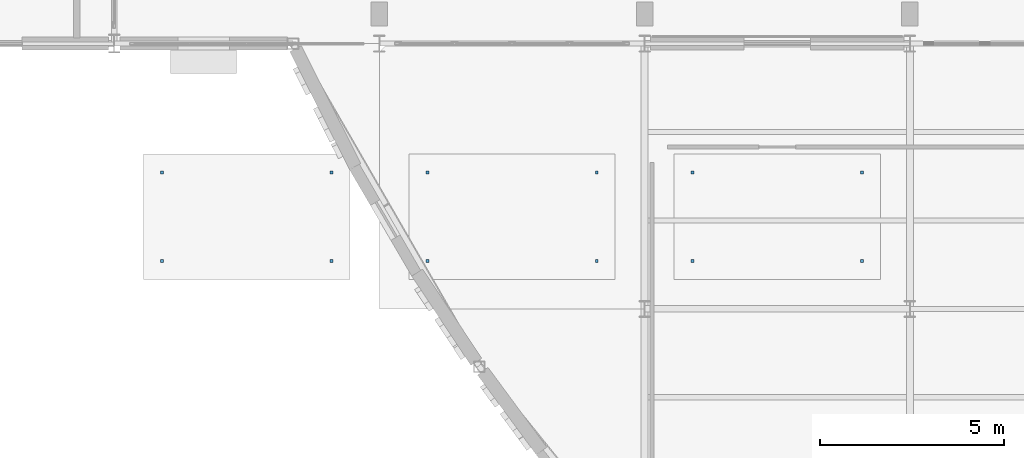
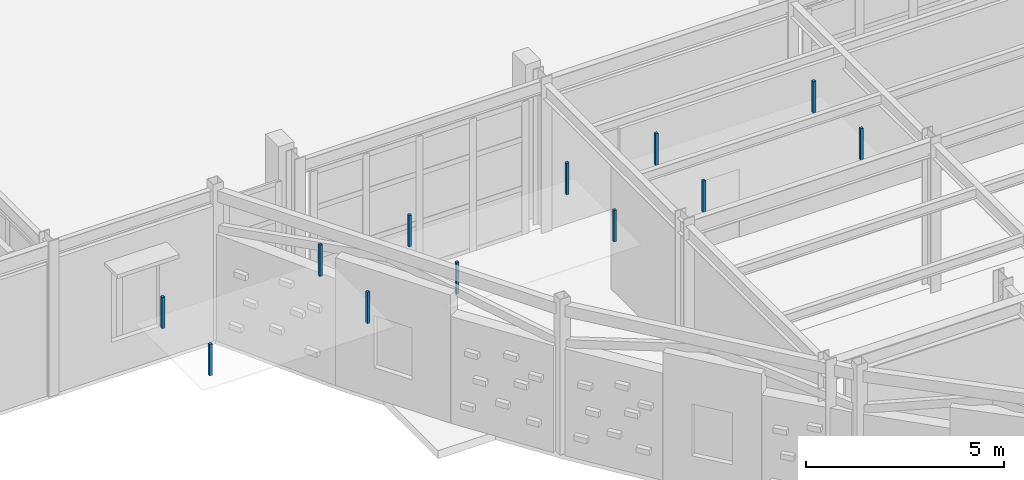
# One storey, part 68 of 83: 12 discrete accessories.
"""IFC4 building model written with IfcOpenShell, lengths in metres."""

from ifc_helpers import new_model, si_unit, direction, frame, origin, origin_2d, place, context, subcontext, project, spatial, rectangle, extrude, material, type_object, element, save


model = new_model("IFC4")

# Units and contexts
model_context = context("Model", 3, precision=1e-05, world=origin(), true_north=direction((0.0, 1.0)))
body_context = subcontext(model_context, "Body", "Model", "MODEL_VIEW")
ifc_project = project(units=[si_unit("LENGTHUNIT", "METRE"), si_unit("AREAUNIT", "SQUARE_METRE"), si_unit("VOLUMEUNIT", "CUBIC_METRE"), si_unit("PLANEANGLEUNIT", "RADIAN"), si_unit("MASSUNIT", "GRAM", prefix="KILO")], contexts=[model_context])

# Site, building, storey
site_placement = place(None, origin())
site = spatial("IfcSite", under=ifc_project, at=site_placement, CompositionType="ELEMENT")
building_placement = place(site_placement, origin())
building = spatial("IfcBuilding", under=site, at=building_placement, Name="Solvadek Multi-Sports Hall", CompositionType="ELEMENT")
storey_placement = place(building_placement, origin())
storey = spatial("IfcBuildingStorey", under=building, at=storey_placement, Name="L00", CompositionType="ELEMENT", Elevation=0.0)

# Discrete accessories
ifc_material = material(Name="Steel E250 (250 MPa)", Category="steel")
discrete_accessory_type = type_object("IfcDiscreteAccessoryType", Name="ENV-BRK-CLEAT", PredefinedType="BRACKET", material=ifc_material)
for number, where, z_axis, x_axis, name in (
    (1, (22.89990234375, 14.5, 3.614990234375), (0.0, 0.0, 1.0), (1.0, 0.0, 0.0), "L00 Ceiling Suspension Hanger #1.1"),
    (2, (27.5, 14.5, 3.614990234375), (0.0, 0.0, 1.0), (1.0, 0.0, 0.0), "L00 Ceiling Suspension Hanger #1.2"),
    (3, (22.89990234375, 16.89990234375, 3.614990234375), (0.0, 0.0, 1.0), (1.0, 0.0, 0.0), "L00 Ceiling Suspension Hanger #1.3"),
    (4, (27.5, 16.89990234375, 3.614990234375), (0.0, 0.0, 1.0), (1.0, 0.0, 0.0), "L00 Ceiling Suspension Hanger #1.4"),
    (5, (30.10009765625, 14.5, 3.614990234375), (0.0, 0.0, 1.0), (1.0, 0.0, 0.0), "L00 Ceiling Suspension Hanger #2.1"),
    (6, (34.699951171875, 14.5, 3.614990234375), (0.0, 0.0, 1.0), (1.0, 0.0, 0.0), "L00 Ceiling Suspension Hanger #2.2"),
    (7, (30.10009765625, 16.89990234375, 3.614990234375), (0.0, 0.0, 1.0), (1.0, 0.0, 0.0), "L00 Ceiling Suspension Hanger #2.3"),
    (8, (34.699951171875, 16.89990234375, 3.614990234375), (0.0, 0.0, 1.0), (1.0, 0.0, 0.0), "L00 Ceiling Suspension Hanger #2.4"),
    (9, (37.300048828125, 14.5, 3.614990234375), (0.0, 0.0, 1.0), (1.0, 0.0, 0.0), "L00 Ceiling Suspension Hanger #3.1"),
    (10, (41.89990234375, 14.5, 3.614990234375), (0.0, 0.0, 1.0), (1.0, 0.0, 0.0), "L00 Ceiling Suspension Hanger #3.2"),
    (11, (37.300048828125, 16.89990234375, 3.614990234375), (0.0, 0.0, 1.0), (1.0, 0.0, 0.0), "L00 Ceiling Suspension Hanger #3.3"),
    (12, (41.89990234375, 16.89990234375, 3.614990234375), (0.0, 0.0, 1.0), (1.0, 0.0, 0.0), "L00 Ceiling Suspension Hanger #3.4"),
):
    element("IfcDiscreteAccessory", number, at=place(storey_placement, frame(where, z_axis=z_axis, x_axis=x_axis)), inside=storey, type_object=discrete_accessory_type, Name=name, PredefinedType="BRACKET", context=body_context, shape_type="SweptSolid", body=[
        extrude(rectangle(XDim=0.080078125, YDim=0.080078125, at=origin_2d()), origin(), (0.0, 0.0, 1.0), 0.97509765625),
    ])

save(model, "model.ifc")
